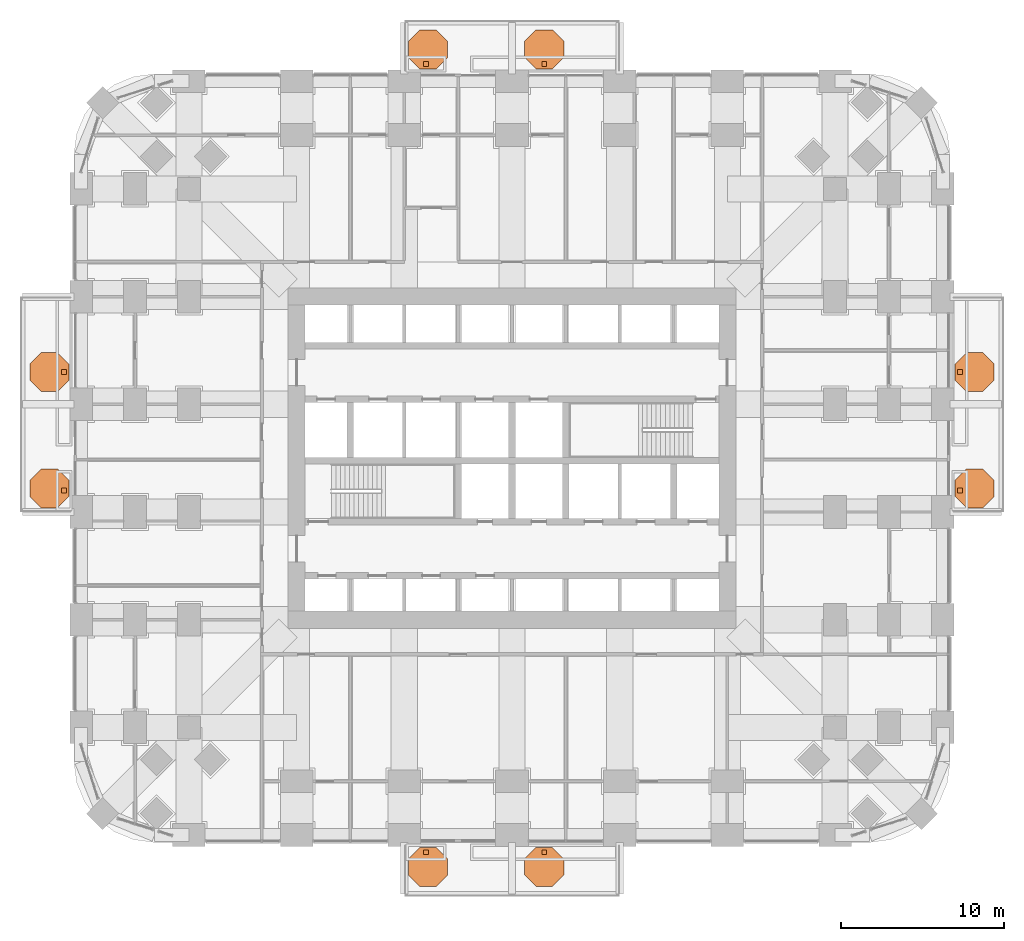
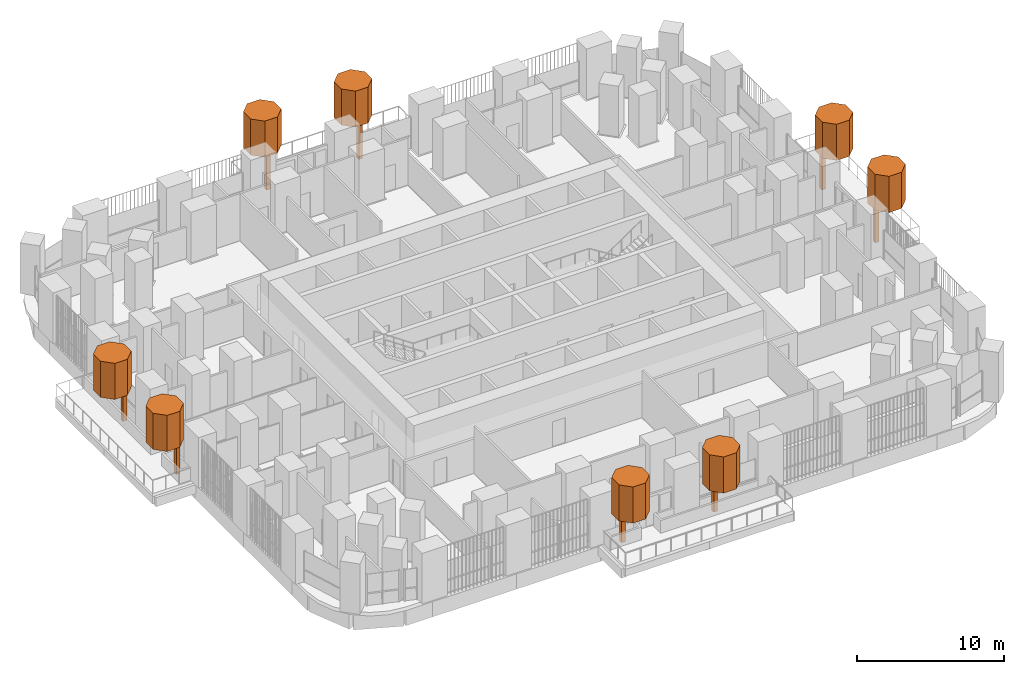
# One storey, part 25 of 25: 16 geographic elements.
"""IFC4 building model written with IfcOpenShell, lengths in metres."""

from ifc_helpers import new_model, si_unit, direction, frame, origin, origin_2d, place, context, subcontext, project, spatial, polyline, rectangle, outline, extrude, material, type_object, element, save


model = new_model("IFC4")

# Units and contexts
model_context = context("Model", 3, precision=1e-05, world=origin(), true_north=direction((0.0, 1.0)))
body_context = subcontext(model_context, "Body", "Model", "MODEL_VIEW")
ifc_project = project(units=[si_unit("LENGTHUNIT", "METRE"), si_unit("AREAUNIT", "SQUARE_METRE"), si_unit("VOLUMEUNIT", "CUBIC_METRE"), si_unit("PLANEANGLEUNIT", "RADIAN"), si_unit("MASSUNIT", "GRAM", prefix="KILO")], contexts=[model_context])

# Site, building, storey
site_placement = place(None, origin())
site = spatial("IfcSite", under=ifc_project, at=site_placement, CompositionType="ELEMENT")
building_placement = place(site_placement, origin())
building = spatial("IfcBuilding", under=site, at=building_placement, Name="Cobogo Forest Laboratory Tower", CompositionType="ELEMENT")
storey_placement = place(building_placement, frame((0.0, 0.0, 67.5)))
storey = spatial("IfcBuildingStorey", under=building, at=storey_placement, Name="L15", CompositionType="ELEMENT", Elevation=67.5)

# Geographic elements
ifc_material = material(Name="Planting", Category="plant")
geographic_element_type_1 = type_object("IfcGeographicElementType", Name="Tree trunk 300", PredefinedType="USERDEFINED", material=ifc_material)
for number, where, z_axis, x_axis, name in (
    (1, (21.125, -1.050048828125, 0.0), (0.0, 0.0, 1.0), (1.0, 0.0, 0.0), "Tree trunk BAL-S1-PL1 L15"),
    (2, (28.375, -1.050048828125, 0.0), (0.0, 0.0, 1.0), (1.0, 0.0, 0.0), "Tree trunk BAL-S1-PL2 L15"),
    (3, (53.85009765625, 21.125, 0.0), (0.0, 0.0, 1.0), (1.0, 0.0, 0.0), "Tree trunk BAL-E1-PL1 L15"),
    (4, (53.85009765625, 28.375, 0.0), (0.0, 0.0, 1.0), (1.0, 0.0, 0.0), "Tree trunk BAL-E1-PL2 L15"),
    (5, (21.125, 47.25, 0.0), (0.0, 0.0, 1.0), (1.0, 0.0, 0.0), "Tree trunk BAL-N1-PL1 L15"),
    (6, (28.375, 47.25, 0.0), (0.0, 0.0, 1.0), (1.0, 0.0, 0.0), "Tree trunk BAL-N1-PL2 L15"),
    (7, (-1.050048828125, 21.125, 0.0), (0.0, 0.0, 1.0), (1.0, 0.0, 0.0), "Tree trunk BAL-W1-PL1 L15"),
    (8, (-1.050048828125, 28.375, 0.0), (0.0, 0.0, 1.0), (1.0, 0.0, 0.0), "Tree trunk BAL-W1-PL2 L15"),
):
    element("IfcGeographicElement", number, at=place(storey_placement, frame(where, z_axis=z_axis, x_axis=x_axis)), inside=storey, type_object=geographic_element_type_1, Name=name, ObjectType="TREE TRUNK", PredefinedType="USERDEFINED", context=body_context, shape_type="SweptSolid", body=[
        extrude(rectangle(XDim=0.300048828125, YDim=0.300048828125, at=origin_2d()), origin(), (0.0, 0.0, 1.0), 2.89990234375),
    ])
geographic_element_type_2 = type_object("IfcGeographicElementType", Name="Tree, holm oak 5 m", PredefinedType="USERDEFINED", material=ifc_material)
geographic_element_1_placement = place(storey_placement, frame((0.0, 0.0, 2.89990234375)))
element("IfcGeographicElement", 9, at=geographic_element_1_placement, inside=storey, type_object=geographic_element_type_2, Name="Holm tree BAL-S1-PL1 L15", ObjectType="TREE", PredefinedType="USERDEFINED", context=body_context, shape_type="SweptSolid", body=[
    extrude(outline(polyline([(22.449951171875, -2.447021484375), (22.449951171875, -1.452880859375), (21.7470703125, -0.75), (20.7529296875, -0.75), (20.050048828125, -1.452880859375), (20.050048828125, -2.447021484375), (20.7529296875, -3.14990234375), (21.7470703125, -3.14990234375), (22.449951171875, -2.447021484375)])), origin(), (0.0, 0.0, 1.0), 3.0),
])
geographic_element_2_placement = place(storey_placement, frame((0.0, 0.0, 2.89990234375)))
element("IfcGeographicElement", 10, at=geographic_element_2_placement, inside=storey, type_object=geographic_element_type_2, Name="Holm tree BAL-S1-PL2 L15", ObjectType="TREE", PredefinedType="USERDEFINED", context=body_context, shape_type="SweptSolid", body=[
    extrude(outline(polyline([(29.574951171875, -2.447021484375), (29.574951171875, -1.452880859375), (28.8720703125, -0.75), (27.8779296875, -0.75), (27.175048828125, -1.452880859375), (27.175048828125, -2.447021484375), (27.8779296875, -3.14990234375), (28.8720703125, -3.14990234375), (29.574951171875, -2.447021484375)])), origin(), (0.0, 0.0, 1.0), 3.0),
])
geographic_element_3_placement = place(storey_placement, frame((0.0, 0.0, 2.89990234375)))
element("IfcGeographicElement", 11, at=geographic_element_3_placement, inside=storey, type_object=geographic_element_type_2, Name="Holm tree BAL-E1-PL1 L15", ObjectType="TREE", PredefinedType="USERDEFINED", context=body_context, shape_type="SweptSolid", body=[
    extrude(outline(polyline([(55.949951171875, 20.7529296875), (55.949951171875, 21.7470703125), (55.2470703125, 22.449951171875), (54.2529296875, 22.449951171875), (53.550048828125, 21.7470703125), (53.550048828125, 20.7529296875), (54.2529296875, 20.050048828125), (55.2470703125, 20.050048828125), (55.949951171875, 20.7529296875)])), origin(), (0.0, 0.0, 1.0), 3.0),
])
geographic_element_4_placement = place(storey_placement, frame((0.0, 0.0, 2.89990234375)))
element("IfcGeographicElement", 12, at=geographic_element_4_placement, inside=storey, type_object=geographic_element_type_2, Name="Holm tree BAL-E1-PL2 L15", ObjectType="TREE", PredefinedType="USERDEFINED", context=body_context, shape_type="SweptSolid", body=[
    extrude(outline(polyline([(55.949951171875, 27.8779296875), (55.949951171875, 28.8720703125), (55.2470703125, 29.574951171875), (54.2529296875, 29.574951171875), (53.550048828125, 28.8720703125), (53.550048828125, 27.8779296875), (54.2529296875, 27.175048828125), (55.2470703125, 27.175048828125), (55.949951171875, 27.8779296875)])), origin(), (0.0, 0.0, 1.0), 3.0),
])
geographic_element_5_placement = place(storey_placement, frame((0.0, 0.0, 2.89990234375)))
element("IfcGeographicElement", 13, at=geographic_element_5_placement, inside=storey, type_object=geographic_element_type_2, Name="Holm tree BAL-N1-PL1 L15", ObjectType="TREE", PredefinedType="USERDEFINED", context=body_context, shape_type="SweptSolid", body=[
    extrude(outline(polyline([(22.449951171875, 47.65283203125), (22.449951171875, 48.64697265625), (21.7470703125, 49.35009765625), (20.7529296875, 49.35009765625), (20.050048828125, 48.64697265625), (20.050048828125, 47.65283203125), (20.7529296875, 46.949951171875), (21.7470703125, 46.949951171875), (22.449951171875, 47.65283203125)])), origin(), (0.0, 0.0, 1.0), 3.0),
])
geographic_element_6_placement = place(storey_placement, frame((0.0, 0.0, 2.89990234375)))
element("IfcGeographicElement", 14, at=geographic_element_6_placement, inside=storey, type_object=geographic_element_type_2, Name="Holm tree BAL-N1-PL2 L15", ObjectType="TREE", PredefinedType="USERDEFINED", context=body_context, shape_type="SweptSolid", body=[
    extrude(outline(polyline([(29.574951171875, 47.65283203125), (29.574951171875, 48.64697265625), (28.8720703125, 49.35009765625), (27.8779296875, 49.35009765625), (27.175048828125, 48.64697265625), (27.175048828125, 47.65283203125), (27.8779296875, 46.949951171875), (28.8720703125, 46.949951171875), (29.574951171875, 47.65283203125)])), origin(), (0.0, 0.0, 1.0), 3.0),
])
geographic_element_7_placement = place(storey_placement, frame((0.0, 0.0, 2.89990234375)))
element("IfcGeographicElement", 15, at=geographic_element_7_placement, inside=storey, type_object=geographic_element_type_2, Name="Holm tree BAL-W1-PL1 L15", ObjectType="TREE", PredefinedType="USERDEFINED", context=body_context, shape_type="SweptSolid", body=[
    extrude(outline(polyline([(-0.75, 20.7529296875), (-0.75, 21.7470703125), (-1.452880859375, 22.449951171875), (-2.447021484375, 22.449951171875), (-3.14990234375, 21.7470703125), (-3.14990234375, 20.7529296875), (-2.447021484375, 20.050048828125), (-1.452880859375, 20.050048828125), (-0.75, 20.7529296875)])), origin(), (0.0, 0.0, 1.0), 3.0),
])
geographic_element_8_placement = place(storey_placement, frame((0.0, 0.0, 2.89990234375)))
element("IfcGeographicElement", 16, at=geographic_element_8_placement, inside=storey, type_object=geographic_element_type_2, Name="Holm tree BAL-W1-PL2 L15", ObjectType="TREE", PredefinedType="USERDEFINED", context=body_context, shape_type="SweptSolid", body=[
    extrude(outline(polyline([(-0.75, 27.8779296875), (-0.75, 28.8720703125), (-1.452880859375, 29.574951171875), (-2.447021484375, 29.574951171875), (-3.14990234375, 28.8720703125), (-3.14990234375, 27.8779296875), (-2.447021484375, 27.175048828125), (-1.452880859375, 27.175048828125), (-0.75, 27.8779296875)])), origin(), (0.0, 0.0, 1.0), 3.0),
])

save(model, "model.ifc")
